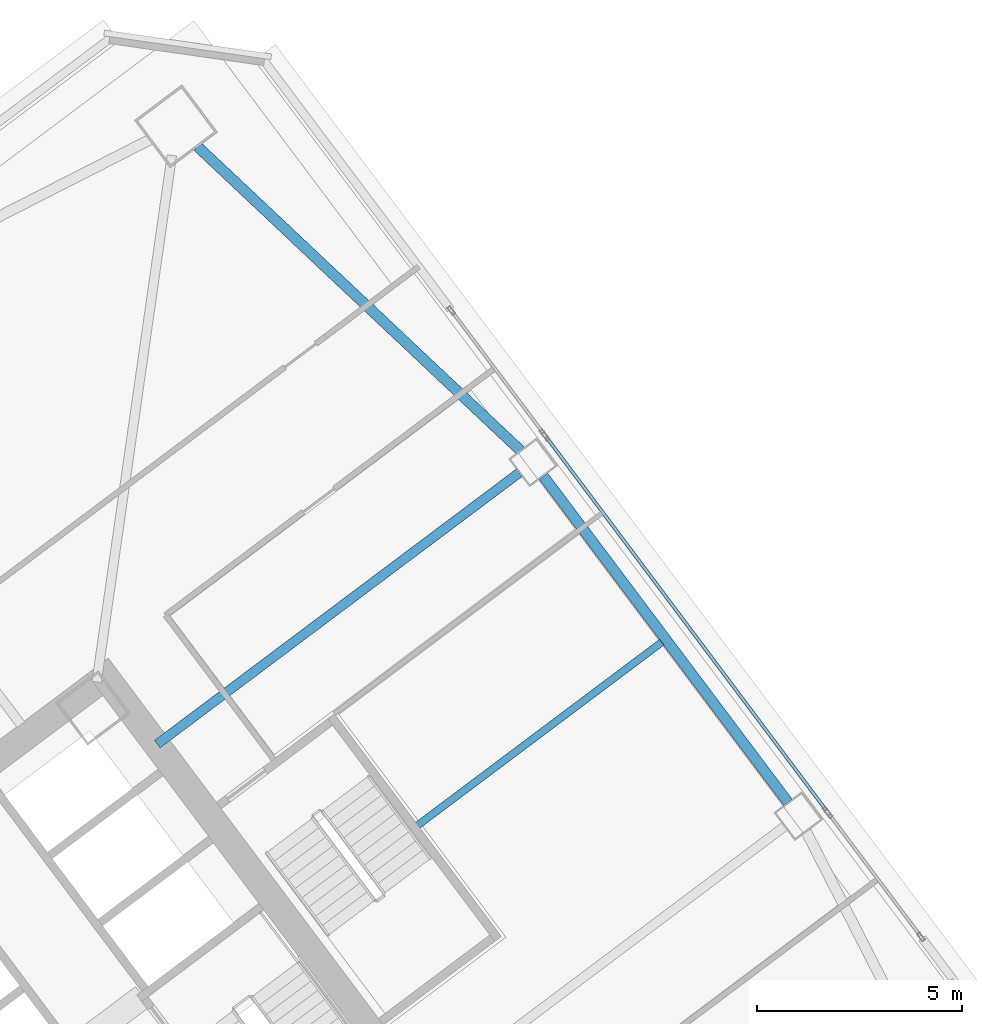
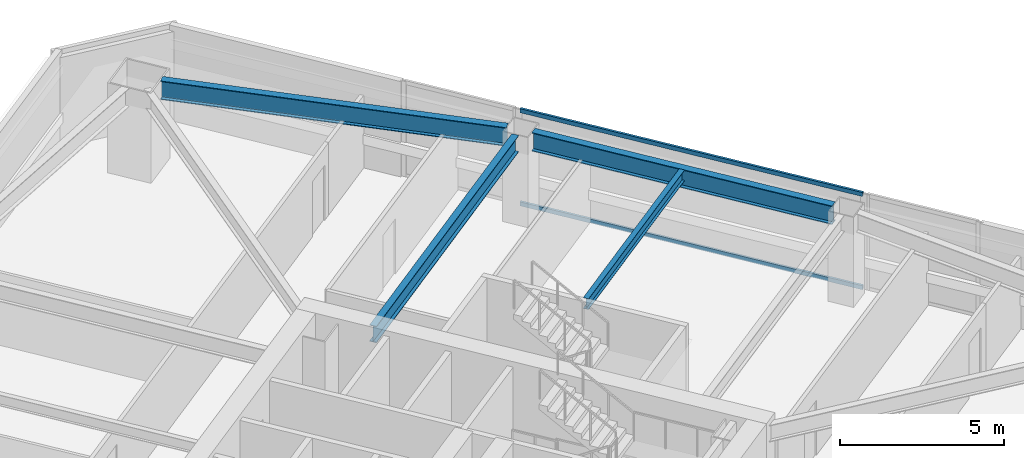
# One storey, part 30 of 44: 4 beams, 2 members, 1 element without a shape of its own.
"""IFC4 building model written with IfcOpenShell, lengths in metres."""

import ifcopenshell
import ifcopenshell.guid

model = None  # the IFC model being written
_history = None  # IfcOwnerHistory: only IFC2X3 demands one
_inside = {}  # id of a spatial element -> (the spatial element, [elements in it])
_under = {}  # id of a project, library or spatial element -> (it, [spatial elements below it])
_declared = {}  # id of a project -> (the project, [libraries it declares])
_typed = {}  # id of a type object -> (the type object, [elements of that type])
_made_of = {}  # id of a material, layer set ... -> (it, [elements and type objects made of it])


def new_model(schema):
    """Start an empty IFC model of exactly this schema.

    Asked for "IFC4X3", IfcOpenShell would pick the latest addendum, in which some entities
    have other attributes; the version numbers below select the first issue.
    IFC2X3 requires an IfcOwnerHistory on every rooted entity: one is made here for all.
    """
    global model, _history
    if schema == "IFC4X3":
        model = ifcopenshell.file(schema_version=(4, 3, 0, 0))
    else:
        model = ifcopenshell.file(schema=schema)
    _inside.clear()
    _under.clear()
    _declared.clear()
    _typed.clear()
    _made_of.clear()
    _history = None
    if model.schema == "IFC2X3":
        org = make("IfcOrganization", Name="unknown")
        user = make(
            "IfcPersonAndOrganization",
            ThePerson=make("IfcPerson", FamilyName="unknown"),
            TheOrganization=org,
        )
        app = make(
            "IfcApplication",
            ApplicationDeveloper=org,
            Version="unknown",
            ApplicationFullName="unknown",
            ApplicationIdentifier="unknown",
        )
        _history = make(
            "IfcOwnerHistory",
            OwningUser=user,
            OwningApplication=app,
            ChangeAction="ADDED",
            CreationDate=0,
        )
    return model


def make(cls, **values):
    """One entity of the class cls with the attributes given. An attribute that is None is left unset."""
    return model.create_entity(
        cls, **{name: value for name, value in values.items() if value is not None}
    )


def rooted(cls, **values):
    """An entity with a GlobalId (a new one), such as an element, a storey or a relation."""
    return make(cls, GlobalId=ifcopenshell.guid.new(), OwnerHistory=_history, **values)


def si_unit(unit_type, name, prefix=None):
    """IfcSIUnit, for example si_unit("LENGTHUNIT", "METRE", prefix="MILLI")."""
    return make("IfcSIUnit", UnitType=unit_type, Prefix=prefix, Name=name)


def assignment(units):
    """IfcUnitAssignment: the units of a project."""
    return None if units is None else make("IfcUnitAssignment", Units=units)


def point(xyz):
    """IfcCartesianPoint."""
    return None if xyz is None else make("IfcCartesianPoint", Coordinates=xyz)


def direction(xyz):
    """IfcDirection."""
    return None if xyz is None else make("IfcDirection", DirectionRatios=xyz)


def frame(location, z_axis=None, x_axis=None):
    """IfcAxis2Placement3D, a coordinate frame: its origin and axes. An axis left out is left unset."""
    return make(
        "IfcAxis2Placement3D",
        Location=point(location),
        Axis=direction(z_axis),
        RefDirection=direction(x_axis),
    )


def frame_2d(location, x_axis=None):
    """IfcAxis2Placement2D, a coordinate frame in the plane: its origin and x axis."""
    return make(
        "IfcAxis2Placement2D", Location=point(location), RefDirection=direction(x_axis)
    )


def origin():
    """The frame at (0, 0, 0) with its axes left unset."""
    return frame((0.0, 0.0, 0.0))


def origin_2d():
    """The frame at (0, 0) in the plane with its x axis left unset."""
    return frame_2d((0.0, 0.0))


def place(relative_to, where):
    """IfcLocalPlacement: puts the frame where relative to a parent placement (None: the world)."""
    return make(
        "IfcLocalPlacement", PlacementRelTo=relative_to, RelativePlacement=where
    )


def context(
    kind, dimensions, precision=None, world=None, true_north=None, identifier=None
):
    """IfcGeometricRepresentationContext, for example the 3D "Model" context."""
    return make(
        "IfcGeometricRepresentationContext",
        ContextIdentifier=identifier,
        ContextType=kind,
        CoordinateSpaceDimension=dimensions,
        Precision=precision,
        WorldCoordinateSystem=world,
        TrueNorth=true_north,
    )


def subcontext(parent, identifier, kind, view, scale=None):
    """IfcGeometricRepresentationSubContext, for example "Body" below "Model"."""
    return make(
        "IfcGeometricRepresentationSubContext",
        ContextIdentifier=identifier,
        ContextType=kind,
        ParentContext=parent,
        TargetScale=scale,
        TargetView=view,
    )


def project(units=None, contexts=None):
    """IfcProject with its units and contexts."""
    return rooted(
        "IfcProject",
        Name="project",
        RepresentationContexts=contexts,
        UnitsInContext=assignment(units),
    )


def spatial(cls, under=None, at=None, **own):
    """A site, building, storey or space (cls), placed at a placement, below another one or the project."""
    s = rooted(cls, ObjectPlacement=at, **own)
    if under is not None:
        _under.setdefault(under.id(), (under, []))[1].append(s)
    return s


def profile(cls, at=None, kind="AREA", **sizes):
    """A parametric profile (cls). Its sizes go by their IFC names, for example OverallWidth=200.0."""
    return make(cls, ProfileType=kind, Position=at, **sizes)


def hollow_rectangle(**sizes):
    """IfcRectangleHollowProfileDef."""
    return profile("IfcRectangleHollowProfileDef", **sizes)


def i_section(**sizes):
    """IfcIShapeProfileDef."""
    return profile("IfcIShapeProfileDef", **sizes)


def extrude(swept, where, along, depth):
    """IfcExtrudedAreaSolid: the profile swept, set in the frame where, extruded along a direction by depth."""
    return make(
        "IfcExtrudedAreaSolid",
        SweptArea=swept,
        Position=where,
        ExtrudedDirection=direction(along),
        Depth=depth,
    )


def shape(context_of_items, identifier, shape_type, items):
    """IfcShapeRepresentation: the items that make up one representation, for example the "Body"."""
    return make(
        "IfcShapeRepresentation",
        ContextOfItems=context_of_items,
        RepresentationIdentifier=identifier,
        RepresentationType=shape_type,
        Items=items,
    )


def material(Name=None, Category=None):
    """IfcMaterial."""
    return make("IfcMaterial", Name=Name, Category=Category)


def material_profile(
    of_material, cross_section, Name=None, Category=None, Priority=None
):
    """IfcMaterialProfile: a cross section and its material."""
    return make(
        "IfcMaterialProfile",
        Name=Name,
        Material=of_material,
        Profile=cross_section,
        Priority=Priority,
        Category=Category,
    )


def profile_set(profiles, Name=None, composite=None):
    """IfcMaterialProfileSet."""
    return make(
        "IfcMaterialProfileSet",
        Name=Name,
        MaterialProfiles=profiles,
        CompositeProfile=composite,
    )


def made_of(thing, what):
    """Note that an element or type object is made of a material, layer set ...; save() writes the relation."""
    if what is not None:
        _made_of.setdefault(what.id(), (what, []))[1].append(thing)
    return thing


def type_object(cls, material=None, **own):
    """A type object (cls), such as IfcWallType, which elements share."""
    return made_of(rooted(cls, **own), material)


def element(
    cls,
    number,
    at=None,
    inside=None,
    cuts=None,
    type_object=None,
    material=None,
    context=None,
    identifier="Body",
    shape_type=None,
    held_by="IfcProductDefinitionShape",
    body=None,
    shapes=None,
    **own,
):
    """One element of the class cls, such as IfcWall. Its Tag is "e" and its number.

    at: its placement. inside: the storey or other place that contains it. cuts: it is an
    opening in that element (IfcRelVoidsElement). A single representation is given by context,
    identifier, shape_type and body (its items); several are given by shapes. held_by: the class
    of the entity that holds the representations. save() writes the other relations.
    """
    e = rooted(cls, Tag="e%d" % number, ObjectPlacement=at, **own)
    if body is not None:
        shapes = [shape(context, identifier, shape_type, body)]
    if shapes is not None:
        e.Representation = make(held_by, Representations=shapes)
    if inside is not None:
        _inside.setdefault(inside.id(), (inside, []))[1].append(e)
    if cuts is not None:
        rooted(
            "IfcRelVoidsElement", RelatingBuildingElement=cuts, RelatedOpeningElement=e
        )
    if type_object is not None:
        _typed.setdefault(type_object.id(), (type_object, []))[1].append(e)
    return made_of(e, material)


def aggregate(whole, parts):
    """IfcRelAggregates: a whole, such as a stair, and the parts it consists of."""
    return rooted("IfcRelAggregates", RelatingObject=whole, RelatedObjects=parts)


def save(model, path):
    """Write the relations noted so far, then the file.

    IfcRelAggregates (storeys below a building ...), IfcRelContainedInSpatialStructure (elements
    in a storey), IfcRelDefinesByType, IfcRelAssociatesMaterial and IfcRelDeclares: one each for
    every whole, place, type object, material and project.
    """
    for whole, parts in _under.values():
        aggregate(whole, parts)
    for where, things in _inside.values():
        rooted(
            "IfcRelContainedInSpatialStructure",
            RelatedElements=things,
            RelatingStructure=where,
        )
    for kind, things in _typed.values():
        rooted("IfcRelDefinesByType", RelatedObjects=things, RelatingType=kind)
    for what, things in _made_of.values():
        rooted("IfcRelAssociatesMaterial", RelatedObjects=things, RelatingMaterial=what)
    for by, libraries in _declared.values():
        rooted("IfcRelDeclares", RelatingContext=by, RelatedDefinitions=libraries)
    model.write(path)


model = new_model("IFC4")

# Units and contexts
model_context = context("Model", 3, precision=1e-05, world=origin(), true_north=direction((0.0, 1.0)))
body_context = subcontext(model_context, "Body", "Model", "MODEL_VIEW")
ifc_project = project(units=[si_unit("LENGTHUNIT", "METRE"), si_unit("AREAUNIT", "SQUARE_METRE"), si_unit("VOLUMEUNIT", "CUBIC_METRE"), si_unit("PLANEANGLEUNIT", "RADIAN"), si_unit("MASSUNIT", "GRAM", prefix="KILO")], contexts=[model_context])

# Site, building, storey
site_placement = place(None, origin())
site = spatial("IfcSite", under=ifc_project, at=site_placement, CompositionType="ELEMENT")
building_placement = place(site_placement, origin())
building = spatial("IfcBuilding", under=site, at=building_placement, Name="Tashvorn Skyway Center", CompositionType="ELEMENT")
storey_placement = place(building_placement, frame((0.0, 0.0, 74.300048828125)))
storey = spatial("IfcBuildingStorey", under=building, at=storey_placement, Name="L19", CompositionType="ELEMENT", Elevation=74.300048828125)

# Beams
ifc_material_1 = material(Name="Steel ASTM A992 Grade 50", Category="steel")
ifc_material_profile_1 = material_profile(ifc_material_1, i_section(OverallWidth=0.22998046875, OverallDepth=0.616943359375, WebThickness=0.01318359375, FlangeThickness=0.022216796875, at=origin_2d()), Name="W24X94")
ifc_profile_set_1 = profile_set([ifc_material_profile_1], Name="Steel ASTM A992 Grade 50")
beam_type_1 = type_object("IfcBeamType", Name="BM-BEAM-W24X94", PredefinedType="BEAM", material=ifc_profile_set_1)
beam_1_placement = place(storey_placement, frame((125.823974609375, 47.617919921875, 3.04150390625), z_axis=(-0.800007953832, -0.599989394744, 0.0), x_axis=(0.599989394744, -0.800007953832, 0.0)))
element("IfcBeam", 1, at=beam_1_placement, inside=storey, type_object=beam_type_1, Name="Tower 2 L19 Primary Floor Girder FC-E2", PredefinedType="BEAM", context=body_context, shape_type="SweptSolid", body=[
    extrude(i_section(OverallWidth=0.22998046875, OverallDepth=0.616943359375, WebThickness=0.01318359375, FlangeThickness=0.022216796875, at=origin_2d()), origin(), (0.0, 0.0, 1.0), 11.050048828125),
])
ifc_material_profile_2 = material_profile(ifc_material_1, i_section(OverallWidth=0.177978515625, OverallDepth=0.406005859375, WebThickness=0.0078125, FlangeThickness=0.0126953125, at=origin_2d()), Name="W16X40")
ifc_profile_set_2 = profile_set([ifc_material_profile_2], Name="Steel ASTM A992 Grade 50")
beam_type_2 = type_object("IfcBeamType", Name="BM-JOIST-W16X40", PredefinedType="JOIST", material=ifc_profile_set_2)
beam_2_placement = place(storey_placement, frame((123.3359375, 39.001953125, 3.14697265625), z_axis=(0.799996072819, 0.600005236206, 0.0), x_axis=(-0.600005236206, 0.799996072819, 0.0)))
element("IfcBeam", 2, at=beam_2_placement, inside=storey, type_object=beam_type_2, Name="Tower 2 L19 Secondary Composite Joist JE", PredefinedType="JOIST", context=body_context, shape_type="SweptSolid", body=[
    extrude(i_section(OverallWidth=0.177978515625, OverallDepth=0.406005859375, WebThickness=0.0078125, FlangeThickness=0.0126953125, at=origin_2d()), origin(), (0.0, 0.0, 1.0), 7.4599609375),
])
ifc_material_profile_3 = material_profile(ifc_material_1, i_section(OverallWidth=0.256103515625, OverallDepth=0.693115234375, WebThickness=0.014404296875, FlangeThickness=0.023681640625, at=origin_2d()), Name="W27X114")
ifc_profile_set_3 = profile_set([ifc_material_profile_3], Name="Steel ASTM A992 Grade 50")
beam_type_3 = type_object("IfcBeamType", Name="BM-SPANDREL-W27X114", PredefinedType="SPANDREL", material=ifc_profile_set_3)
beam_3_placement = place(storey_placement, frame((132.387939453125, 39.56591796875, 3.00341796875), z_axis=(-0.599988234018, 0.800008824351, 0.0), x_axis=(-0.800008824351, -0.599988234018, 0.0)))
element("IfcBeam", 3, at=beam_3_placement, inside=storey, type_object=beam_type_3, Name="Tower 2 L19 Spandrel Beam 05", PredefinedType="SPANDREL", context=body_context, shape_type="SweptSolid", body=[
    extrude(i_section(OverallWidth=0.256103515625, OverallDepth=0.693115234375, WebThickness=0.014404296875, FlangeThickness=0.023681640625, at=origin_2d()), origin(), (0.0, 0.0, 1.0), 9.9599609375),
])
beam_4_placement = place(storey_placement, frame((125.854248046875, 48.157958984375, 3.00341796875), z_axis=(-0.728086883893, 0.685484857238, 0.0), x_axis=(-0.685484857238, -0.728086883893, 0.0)))
element("IfcBeam", 4, at=beam_4_placement, inside=storey, type_object=beam_type_3, Name="Tower 2 L19 Spandrel Beam 06", PredefinedType="SPANDREL", context=body_context, shape_type="SweptSolid", body=[
    extrude(i_section(OverallWidth=0.256103515625, OverallDepth=0.693115234375, WebThickness=0.014404296875, FlangeThickness=0.023681640625, at=origin_2d()), origin(), (0.0, 0.0, 1.0), 10.8369140625),
])

# Curtain wall, members
ifc_material_2 = material(Name="Thermally broken bronze-anodized aluminium 6063-T6", Category="aluminium")
curtain_wall_type = type_object("IfcCurtainWallType", Name="CW-CW-Z2", PredefinedType="NOTDEFINED", material=ifc_material_2)
curtain_wall_placement = place(storey_placement, origin())
curtain_wall = element("IfcCurtainWall", 5, at=curtain_wall_placement, inside=storey, type_object=curtain_wall_type, Name="Tower 2 L19 East Unitised Curtain Wall Glazing Group 2", PredefinedType="NOTDEFINED")
ifc_material_profile_4 = material_profile(ifc_material_2, hollow_rectangle(XDim=0.080078125, YDim=0.14990234375, WallThickness=0.00439453125, at=origin_2d()), Name="ALU-TRAN-80x150")
ifc_profile_set_4 = profile_set([ifc_material_profile_4], Name="Thermally broken bronze-anodized aluminium 6063-T6")
member_type = type_object("IfcMemberType", Name="CWT-CW-Z2", PredefinedType="USERDEFINED", material=ifc_profile_set_4)
member_1_placement = place(storey_placement, frame((126.49609375, 48.471923828125, 0.0400390625), z_axis=(0.6, -0.8, 0.0), x_axis=(0.8, 0.6, 0.0)))
member_1 = element("IfcMember", 6, at=member_1_placement, type_object=member_type, Name="CW-Z2 transom 1.1", ObjectType="TRANSOM", PredefinedType="USERDEFINED", context=body_context, shape_type="SweptSolid", body=[
    extrude(hollow_rectangle(XDim=0.080078125, YDim=0.14990234375, WallThickness=0.00439453125, at=origin_2d()), origin(), (0.0, 0.0, 1.0), 11.35986328125),
])
member_2_placement = place(storey_placement, frame((126.49609375, 48.471923828125, 3.510009765625), z_axis=(0.6, -0.8, 0.0), x_axis=(0.8, 0.6, 0.0)))
member_2 = element("IfcMember", 7, at=member_2_placement, type_object=member_type, Name="CW-Z2 transom 1.2", ObjectType="TRANSOM", PredefinedType="USERDEFINED", context=body_context, shape_type="SweptSolid", body=[
    extrude(hollow_rectangle(XDim=0.080078125, YDim=0.14990234375, WallThickness=0.00439453125, at=origin_2d()), origin(), (0.0, 0.0, 1.0), 11.35986328125),
])
aggregate(curtain_wall, [member_1, member_2])

save(model, "model.ifc")
